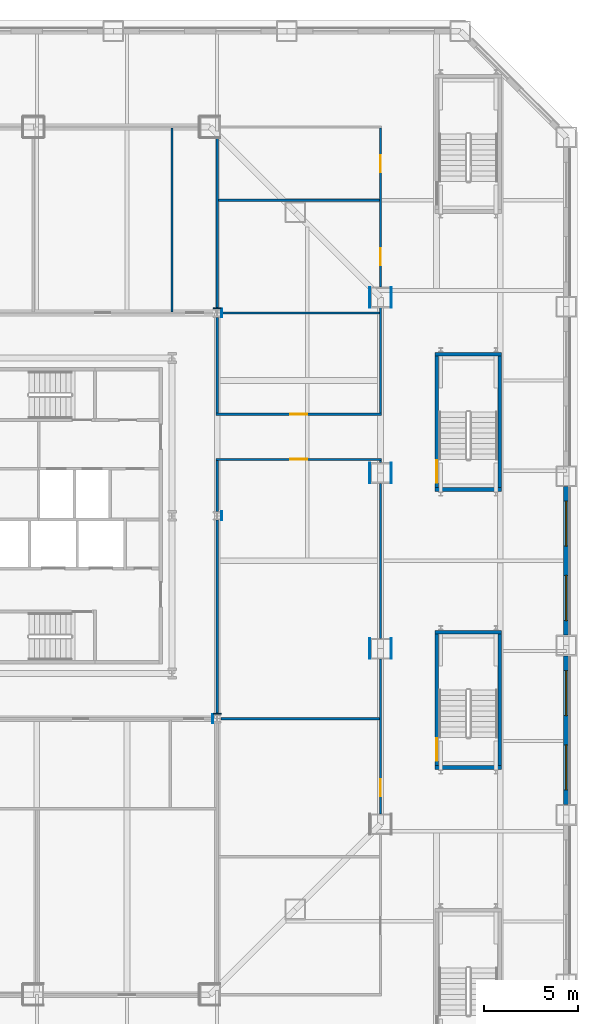
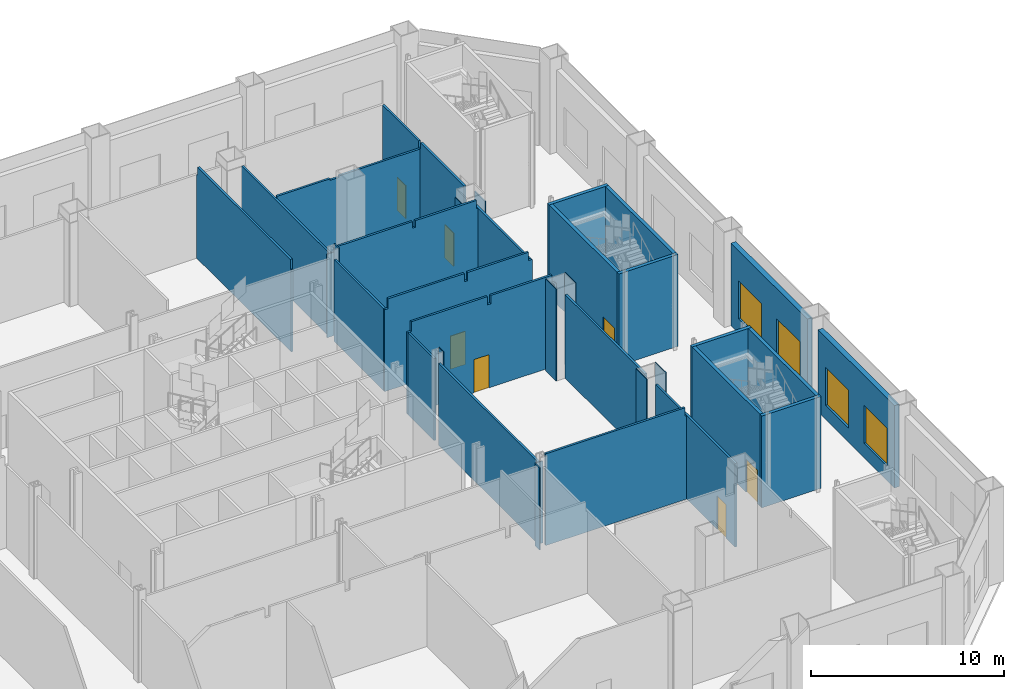
# One storey, part 22 of 31: 36 walls, 7 doors, 4 windows, 11 openings.
"""IFC4 building model written with IfcOpenShell, lengths in metres."""

from ifc_helpers import new_model, si_unit, direction, frame, frame_2d, origin, place, context, subcontext, project, spatial, polyline, rectangle, outline, extrude, material, layer, layer_set, type_object, element, fill, save


model = new_model("IFC4")

# Units and contexts
model_context = context("Model", 3, precision=1e-05, world=origin(), true_north=direction((0.0, 1.0)))
body_context = subcontext(model_context, "Body", "Model", "MODEL_VIEW")
ifc_project = project(units=[si_unit("LENGTHUNIT", "METRE"), si_unit("AREAUNIT", "SQUARE_METRE"), si_unit("VOLUMEUNIT", "CUBIC_METRE"), si_unit("PLANEANGLEUNIT", "RADIAN"), si_unit("MASSUNIT", "GRAM", prefix="KILO")], contexts=[model_context])

# Site, building, storey
site_placement = place(None, origin())
site = spatial("IfcSite", under=ifc_project, at=site_placement, CompositionType="ELEMENT")
building_placement = place(site_placement, origin())
building = spatial("IfcBuilding", under=site, at=building_placement, Name="Cairn Pilgrim Tower", CompositionType="ELEMENT")
storey_placement = place(building_placement, frame((0.0, 0.0, 9.0)))
storey = spatial("IfcBuildingStorey", under=building, at=storey_placement, Name="L01", CompositionType="ELEMENT", Elevation=9.0)

# Wall, opening, door
ifc_material_1 = material(Name="Gypsum partition")
ifc_layer_1 = layer(ifc_material_1, 0.125)
ifc_layer_set_1 = layer_set([ifc_layer_1], Name="PARTITION 125 DRYWALL EI 60")
wall_type_1 = type_object("IfcWallType", Name="PARTITION 125 DRYWALL EI 60", PredefinedType="PARTITIONING", material=ifc_layer_set_1)
wall_1_placement = place(storey_placement, frame((27.89990234375, -13.477294921875, 0.0), z_axis=(0.0, 0.0, 1.0), x_axis=(0.0, 1.0, 0.0)))
wall_1 = element("IfcWall", 1, at=wall_1_placement, inside=storey, type_object=wall_type_1, Name="PARTITION W027", PredefinedType="PARTITIONING", context=body_context, shape_type="SweptSolid", body=[
    extrude(rectangle(XDim=8.251708984375, YDim=0.125, at=frame_2d((4.1259765625, 0.0))), origin(), (0.0, 0.0, 1.0), 5.280029296875),
])
opening_1_placement = place(wall_1_placement, frame((0.9521484375, 0.0, 0.0)))
opening_1 = element("IfcOpeningElement", 2, at=opening_1_placement, cuts=wall_1, Name="Opening 0123", PredefinedType="OPENING", context=body_context, shape_type="SweptSolid", body=[
    extrude(rectangle(XDim=0.89990234375, YDim=2.10009765625, at=frame_2d((0.449951171875, 1.050048828125))), frame((0.0, 0.072509765625, 0.0), z_axis=(0.0, -1.0, 0.0), x_axis=(1.0, 0.0, 0.0)), (0.0, 0.0, 1.0), 0.14501953125),
])
ifc_material_2 = material(Name="Timber door leaf", Category="wood")
door_type_1 = type_object("IfcDoorType", Name="SERVICE DOOR 900x2100 FD30S", OperationType="NOTDEFINED", PredefinedType="DOOR", material=ifc_material_2)
door_1_placement = place(opening_1_placement, frame((0.89990234375, 0.0, 0.0), z_axis=(0.0, 0.0, 1.0), x_axis=(-1.0, 0.0, 0.0)))
door_1 = element("IfcDoor", 3, at=door_1_placement, inside=storey, type_object=door_type_1, Name="DOOR 0123", OperationType="SINGLE_SWING_RIGHT", OverallHeight=2.10009765625, OverallWidth=0.89990234375, PredefinedType="DOOR", context=body_context, shape_type="SweptSolid", body=[
    extrude(rectangle(XDim=0.89990234375, YDim=2.10009765625, at=frame_2d((0.449951171875, 1.050048828125))), frame((0.0, 0.02490234375, 0.0), z_axis=(0.0, -1.0, 0.0), x_axis=(1.0, 0.0, 0.0)), (0.0, 0.0, 1.0), 0.050048828125),
])
fill(opening_1, door_1)

# Walls
wall_2_placement = place(storey_placement, frame((19.412109375, -8.39990234375, 0.0), z_axis=(0.0, 0.0, 1.0), x_axis=(1.0, 0.0, 0.0)))
element("IfcWall", 4, at=wall_2_placement, inside=storey, type_object=wall_type_1, Name="PARTITION W036", PredefinedType="PARTITIONING", context=body_context, shape_type="SweptSolid", body=[
    extrude(outline(polyline([(0.0, 0.0), (8.42529296875, 0.0), (8.425537109375, 5.280029296875), (8.337890625, 5.280029296875), (8.3359375, 5.800048828125), (0.0, 5.800048828125), (0.0, 0.0)])), frame((0.0, 0.0625, 0.0), z_axis=(0.0, -1.0, 0.0), x_axis=(1.0, 0.0, 0.0)), (0.0, 0.0, 1.0), 0.125),
])
wall_3_placement = place(storey_placement, frame((19.199951171875, -8.1630859375, 0.0), z_axis=(0.0, 0.0, 1.0), x_axis=(0.0, 1.0, 0.0)))
element("IfcWall", 5, at=wall_3_placement, inside=storey, type_object=wall_type_1, Name="PARTITION W038", PredefinedType="PARTITIONING", context=body_context, shape_type="SweptSolid", body=[
    extrude(rectangle(XDim=10.326171875, YDim=0.125, at=frame_2d((5.1630859375, 0.0))), origin(), (0.0, 0.0, 1.0), 5.179931640625),
])
wall_4_placement = place(storey_placement, frame((27.89990234375, -4.125732421875, 0.0), z_axis=(0.0, 0.0, 1.0), x_axis=(0.0, 1.0, 0.0)))
element("IfcWall", 6, at=wall_4_placement, inside=storey, type_object=wall_type_1, Name="PARTITION W039", PredefinedType="PARTITIONING", context=body_context, shape_type="SweptSolid", body=[
    extrude(rectangle(XDim=8.25146484375, YDim=0.125, at=frame_2d((4.125732421875, 0.0))), origin(), (0.0, 0.0, 1.0), 5.280029296875),
])
wall_5_placement = place(storey_placement, frame((19.199951171875, 2.636962890625, 0.0), z_axis=(0.0, 0.0, 1.0), x_axis=(0.0, 1.0, 0.0)))
element("IfcWall", 7, at=wall_5_placement, inside=storey, type_object=wall_type_1, Name="PARTITION W042", PredefinedType="PARTITIONING", context=body_context, shape_type="SweptSolid", body=[
    extrude(rectangle(XDim=2.700439453125, YDim=0.125, at=frame_2d((1.35009765625, 0.0))), origin(), (0.0, 0.0, 1.0), 5.179931640625),
])
wall_6_placement = place(storey_placement, frame((27.89990234375, 5.2255859375, 0.0), z_axis=(0.0, 0.0, 1.0), x_axis=(0.0, 1.0, 0.0)))
element("IfcWall", 8, at=wall_6_placement, inside=storey, type_object=wall_type_1, Name="PARTITION W046", PredefinedType="PARTITIONING", context=body_context, shape_type="SweptSolid", body=[
    extrude(rectangle(XDim=0.11181640625, YDim=0.125, at=frame_2d((0.055908203125, 0.0))), origin(), (0.0, 0.0, 1.0), 5.280029296875),
])

# Wall, opening, door
wall_7_placement = place(storey_placement, frame((19.137451171875, 5.39990234375, 0.0), z_axis=(0.0, 0.0, 1.0), x_axis=(1.0, 0.0, 0.0)))
wall_7 = element("IfcWall", 9, at=wall_7_placement, inside=storey, type_object=wall_type_1, Name="PARTITION W048", PredefinedType="PARTITIONING", context=body_context, shape_type="SweptSolid", body=[
    extrude(outline(polyline([(0.0, 0.0), (8.824951171875, 0.0), (8.824951171875, 5.280029296875), (8.612548828125, 5.280029296875), (8.610595703125, 5.800048828125), (4.96240234375, 5.800048828125), (4.96044921875, 5.280029296875), (4.762451171875, 5.280029296875), (4.760498046875, 5.800048828125), (0.21240234375, 5.800048828125), (0.21044921875, 5.179931640625), (0.0, 5.179931640625), (0.0, 0.0)])), frame((0.0, 0.0625, 0.0), z_axis=(0.0, -1.0, 0.0), x_axis=(1.0, 0.0, 0.0)), (0.0, 0.0, 1.0), 0.125),
])
opening_2_placement = place(wall_7_placement, frame((3.96240234375, 0.0, 0.0)))
opening_2 = element("IfcOpeningElement", 10, at=opening_2_placement, cuts=wall_7, Name="Opening 0119", PredefinedType="OPENING", context=body_context, shape_type="SweptSolid", body=[
    extrude(rectangle(XDim=0.89990234375, YDim=2.10009765625, at=frame_2d((0.449951171875, 1.050048828125))), frame((0.0, 0.072509765625, 0.0), z_axis=(0.0, -1.0, 0.0), x_axis=(1.0, 0.0, 0.0)), (0.0, 0.0, 1.0), 0.14501953125),
])
door_type_2 = type_object("IfcDoorType", Name="ROOM DOOR 900x2100 FD30S", OperationType="NOTDEFINED", PredefinedType="DOOR", material=ifc_material_2)
door_2_placement = place(opening_2_placement, origin())
door_2 = element("IfcDoor", 11, at=door_2_placement, inside=storey, type_object=door_type_2, Name="DOOR 0119", OperationType="SINGLE_SWING_LEFT", OverallHeight=2.10009765625, OverallWidth=0.89990234375, PredefinedType="DOOR", context=body_context, shape_type="SweptSolid", body=[
    extrude(rectangle(XDim=0.89990234375, YDim=2.10009765625, at=frame_2d((0.449951171875, 1.050048828125))), frame((0.0, 0.02490234375, 0.0), z_axis=(0.0, -1.0, 0.0), x_axis=(1.0, 0.0, 0.0)), (0.0, 0.0, 1.0), 0.050048828125),
])
fill(opening_2, door_2)

wall_8_placement = place(storey_placement, frame((19.137451171875, 7.800048828125, 0.0), z_axis=(0.0, 0.0, 1.0), x_axis=(1.0, 0.0, 0.0)))
wall_8 = element("IfcWall", 12, at=wall_8_placement, inside=storey, type_object=wall_type_1, Name="PARTITION W050", PredefinedType="PARTITIONING", context=body_context, shape_type="SweptSolid", body=[
    extrude(outline(polyline([(0.0, 0.0), (8.824951171875, 0.0), (8.824951171875, 5.280029296875), (8.612548828125, 5.280029296875), (8.610595703125, 5.800048828125), (4.96240234375, 5.800048828125), (4.96044921875, 5.280029296875), (4.762451171875, 5.280029296875), (4.760498046875, 5.800048828125), (0.21240234375, 5.800048828125), (0.21044921875, 5.179931640625), (0.0, 5.179931640625), (0.0, 0.0)])), frame((0.0, 0.0625, 0.0), z_axis=(0.0, -1.0, 0.0), x_axis=(1.0, 0.0, 0.0)), (0.0, 0.0, 1.0), 0.125),
])
opening_3_placement = place(wall_8_placement, frame((3.96240234375, 0.0, 0.0)))
opening_3 = element("IfcOpeningElement", 13, at=opening_3_placement, cuts=wall_8, Name="Opening 0118", PredefinedType="OPENING", context=body_context, shape_type="SweptSolid", body=[
    extrude(rectangle(XDim=0.89990234375, YDim=2.10009765625, at=frame_2d((0.449951171875, 1.050048828125))), frame((0.0, 0.072509765625, 0.0), z_axis=(0.0, -1.0, 0.0), x_axis=(1.0, 0.0, 0.0)), (0.0, 0.0, 1.0), 0.14501953125),
])
door_3_placement = place(opening_3_placement, frame((0.89990234375, 0.0, 0.0), z_axis=(0.0, 0.0, 1.0), x_axis=(-1.0, 0.0, 0.0)))
door_3 = element("IfcDoor", 14, at=door_3_placement, inside=storey, type_object=door_type_2, Name="DOOR 0118", OperationType="SINGLE_SWING_RIGHT", OverallHeight=2.10009765625, OverallWidth=0.89990234375, PredefinedType="DOOR", context=body_context, shape_type="SweptSolid", body=[
    extrude(rectangle(XDim=0.89990234375, YDim=2.10009765625, at=frame_2d((0.449951171875, 1.050048828125))), frame((0.0, 0.02490234375, 0.0), z_axis=(0.0, -1.0, 0.0), x_axis=(1.0, 0.0, 0.0)), (0.0, 0.0, 1.0), 0.050048828125),
])
fill(opening_3, door_3)

# Walls
wall_9_placement = place(storey_placement, frame((19.199951171875, 7.862548828125, 0.0), z_axis=(0.0, 0.0, 1.0), x_axis=(0.0, 1.0, 0.0)))
element("IfcWall", 15, at=wall_9_placement, inside=storey, type_object=wall_type_1, Name="PARTITION W055", PredefinedType="PARTITIONING", context=body_context, shape_type="SweptSolid", body=[
    extrude(rectangle(XDim=5.100341796875, YDim=0.125, at=frame_2d((2.55029296875, 0.0))), origin(), (0.0, 0.0, 1.0), 5.179931640625),
])
wall_10_placement = place(storey_placement, frame((27.89990234375, 7.862548828125, 0.0), z_axis=(0.0, 0.0, 1.0), x_axis=(0.0, 1.0, 0.0)))
element("IfcWall", 16, at=wall_10_placement, inside=storey, type_object=wall_type_1, Name="PARTITION W056", PredefinedType="PARTITIONING", context=body_context, shape_type="SweptSolid", body=[
    extrude(rectangle(XDim=5.61474609375, YDim=0.125, at=frame_2d((2.807373046875, 0.0))), origin(), (0.0, 0.0, 1.0), 5.280029296875),
])
wall_11_placement = place(storey_placement, frame((19.412109375, 13.199951171875, 0.0), z_axis=(0.0, 0.0, 1.0), x_axis=(1.0, 0.0, 0.0)))
element("IfcWall", 17, at=wall_11_placement, inside=storey, type_object=wall_type_1, Name="PARTITION W060", PredefinedType="PARTITIONING", context=body_context, shape_type="SweptSolid", body=[
    extrude(outline(polyline([(0.0, 0.0), (8.42529296875, 0.0), (8.425537109375, 5.280029296875), (8.337890625, 5.280029296875), (8.3359375, 5.800048828125), (4.677978515625, 5.800048828125), (4.676025390625, 5.3798828125), (4.498046875, 5.3798828125), (4.49609375, 5.800048828125), (0.0, 5.800048828125), (0.0, 0.0)])), frame((0.0, 0.0625, 0.0), z_axis=(0.0, -1.0, 0.0), x_axis=(1.0, 0.0, 0.0)), (0.0, 0.0, 1.0), 0.125),
])
wall_12_placement = place(storey_placement, frame((16.800048828125, 13.262451171875, 0.0), z_axis=(0.0, 0.0, 1.0), x_axis=(0.0, 1.0, 0.0)))
element("IfcWall", 18, at=wall_12_placement, inside=storey, type_object=wall_type_1, Name="PARTITION W062", PredefinedType="PARTITIONING", context=body_context, shape_type="SweptSolid", body=[
    extrude(outline(polyline([(0.0, 0.0), (9.775146484375, 0.0), (9.77490234375, 5.280029296875), (9.6875, 5.280029296875), (9.685546875, 5.800048828125), (0.08740234375, 5.800048828125), (0.08544921875, 5.179931640625), (0.0, 5.179931640625), (0.0, 0.0)])), frame((0.0, 0.0625, 0.0), z_axis=(0.0, -1.0, 0.0), x_axis=(1.0, 0.0, 0.0)), (0.0, 0.0, 1.0), 0.125),
])
wall_13_placement = place(storey_placement, frame((19.199951171875, 13.43701171875, 0.0), z_axis=(0.0, 0.0, 1.0), x_axis=(0.0, 1.0, 0.0)))
element("IfcWall", 19, at=wall_13_placement, inside=storey, type_object=wall_type_1, Name="PARTITION W064", PredefinedType="PARTITIONING", context=body_context, shape_type="SweptSolid", body=[
    extrude(rectangle(XDim=9.113037109375, YDim=0.125, at=frame_2d((4.556640625, 0.0))), origin(), (0.0, 0.0, 1.0), 5.280029296875),
])

# Wall, openings, doors
wall_14_placement = place(storey_placement, frame((27.89990234375, 14.5771484375, 0.0), z_axis=(0.0, 0.0, 1.0), x_axis=(0.0, 1.0, 0.0)))
wall_14 = element("IfcWall", 20, at=wall_14_placement, inside=storey, type_object=wall_type_1, Name="PARTITION W065", PredefinedType="PARTITIONING", context=body_context, shape_type="SweptSolid", body=[
    extrude(outline(polyline([(0.0, 0.0), (8.46044921875, 0.0), (8.460205078125, 5.800048828125), (4.712890625, 5.800048828125), (4.710693359375, 5.3798828125), (4.53271484375, 5.3798828125), (4.53076171875, 5.800048828125), (0.0, 5.800048828125), (0.0, 0.0)])), frame((0.0, 0.0625, 0.0), z_axis=(0.0, -1.0, 0.0), x_axis=(1.0, 0.0, 0.0)), (0.0, 0.0, 1.0), 0.125),
])
opening_4_placement = place(wall_14_placement, frame((1.1728515625, 0.0, 0.0)))
opening_4 = element("IfcOpeningElement", 21, at=opening_4_placement, cuts=wall_14, Name="Opening 0120", PredefinedType="OPENING", context=body_context, shape_type="SweptSolid", body=[
    extrude(rectangle(XDim=0.89990234375, YDim=2.10009765625, at=frame_2d((0.449951171875, 1.050048828125))), frame((0.0, 0.072509765625, 0.0), z_axis=(0.0, -1.0, 0.0), x_axis=(1.0, 0.0, 0.0)), (0.0, 0.0, 1.0), 0.14501953125),
])
opening_5_placement = place(wall_14_placement, frame((6.122802734375, 0.0, 0.0)))
opening_5 = element("IfcOpeningElement", 22, at=opening_5_placement, cuts=wall_14, Name="Opening 0121", PredefinedType="OPENING", context=body_context, shape_type="SweptSolid", body=[
    extrude(rectangle(XDim=0.89990234375, YDim=2.10009765625, at=frame_2d((0.449951171875, 1.050048828125))), frame((0.0, 0.072509765625, 0.0), z_axis=(0.0, -1.0, 0.0), x_axis=(1.0, 0.0, 0.0)), (0.0, 0.0, 1.0), 0.14501953125),
])
door_4_placement = place(opening_4_placement, frame((0.89990234375, 0.0, 0.0), z_axis=(0.0, 0.0, 1.0), x_axis=(-1.0, 0.0, 0.0)))
door_4 = element("IfcDoor", 23, at=door_4_placement, inside=storey, type_object=door_type_2, Name="DOOR 0120", OperationType="SINGLE_SWING_RIGHT", OverallHeight=2.10009765625, OverallWidth=0.89990234375, PredefinedType="DOOR", context=body_context, shape_type="SweptSolid", body=[
    extrude(rectangle(XDim=0.89990234375, YDim=2.10009765625, at=frame_2d((0.449951171875, 1.050048828125))), frame((0.0, 0.02490234375, 0.0), z_axis=(0.0, -1.0, 0.0), x_axis=(1.0, 0.0, 0.0)), (0.0, 0.0, 1.0), 0.050048828125),
])
fill(opening_4, door_4)
door_5_placement = place(opening_5_placement, frame((0.89990234375, 0.0, 0.0), z_axis=(0.0, 0.0, 1.0), x_axis=(-1.0, 0.0, 0.0)))
door_5 = element("IfcDoor", 24, at=door_5_placement, inside=storey, type_object=door_type_2, Name="DOOR 0121", OperationType="SINGLE_SWING_LEFT", OverallHeight=2.10009765625, OverallWidth=0.89990234375, PredefinedType="DOOR", context=body_context, shape_type="SweptSolid", body=[
    extrude(rectangle(XDim=0.89990234375, YDim=2.10009765625, at=frame_2d((0.449951171875, 1.050048828125))), frame((0.0, 0.02490234375, 0.0), z_axis=(0.0, -1.0, 0.0), x_axis=(1.0, 0.0, 0.0)), (0.0, 0.0, 1.0), 0.050048828125),
])
fill(opening_5, door_5)

# Walls
wall_15_placement = place(storey_placement, frame((19.262451171875, 19.199951171875, 0.0), z_axis=(0.0, 0.0, 1.0), x_axis=(1.0, 0.0, 0.0)))
element("IfcWall", 25, at=wall_15_placement, inside=storey, type_object=wall_type_1, Name="PARTITION W069", PredefinedType="PARTITIONING", context=body_context, shape_type="SweptSolid", body=[
    extrude(outline(polyline([(0.0, 0.0), (8.574951171875, 0.0), (8.574951171875, 5.3798828125), (3.7392578125, 5.3798828125), (3.7373046875, 5.280029296875), (3.190185546875, 5.280029296875), (3.18798828125, 5.3798828125), (0.03759765625, 5.3798828125), (0.035400390625, 5.280029296875), (0.0, 5.280029296875), (0.0, 0.0)])), frame((0.0, 0.0625, 0.0), z_axis=(0.0, -1.0, 0.0), x_axis=(1.0, 0.0, 0.0)), (0.0, 0.0, 1.0), 0.125),
])
ifc_layer_2 = layer(ifc_material_1, 0.050048828125)
ifc_layer_set_2 = layer_set([ifc_layer_2], Name="PARTITION 50 DRYWALL EI 60")
wall_type_2 = type_object("IfcWallType", Name="PARTITION 50 DRYWALL EI 60", PredefinedType="PARTITIONING", material=ifc_layer_set_2)
wall_16_placement = place(storey_placement, frame((18.962890625, -8.636962890625, 0.0), z_axis=(0.0, 0.0, 1.0), x_axis=(0.0, 1.0, 0.0)))
element("IfcWall", 26, at=wall_16_placement, inside=storey, type_object=wall_type_2, Name="COLUMN CASING WC15", PredefinedType="PARTITIONING", context=body_context, shape_type="SweptSolid", body=[
    extrude(rectangle(XDim=0.473876953125, YDim=0.050048828125, at=frame_2d((0.23681640625, 0.0))), origin(), (0.0, 0.0, 1.0), 5.179931640625),
])
for number, where, z_axis, x_axis, name in (
    (27, (27.324951171875, -5.2255859375, 0.0), (0.0, 0.0, 1.0), (0.0, 1.0, 0.0), "COLUMN CASING WC18"),
    (28, (28.47509765625, -5.2255859375, 0.0), (0.0, 0.0, 1.0), (0.0, 1.0, 0.0), "COLUMN CASING WC19"),
    (29, (27.324951171875, 4.125732421875, 0.0), (0.0, 0.0, 1.0), (0.0, 1.0, 0.0), "COLUMN CASING WC20"),
    (30, (28.47509765625, 4.125732421875, 0.0), (0.0, 0.0, 1.0), (0.0, 1.0, 0.0), "COLUMN CASING WC21"),
):
    element("IfcWall", number, at=place(storey_placement, frame(where, z_axis=z_axis, x_axis=x_axis)), inside=storey, type_object=wall_type_2, Name=name, PredefinedType="PARTITIONING", context=body_context, shape_type="SweptSolid", body=[
        extrude(rectangle(XDim=1.099853515625, YDim=0.050048828125, at=frame_2d((0.5498046875, 0.0))), origin(), (0.0, 0.0, 1.0), 5.800048828125),
    ])
wall_17_placement = place(storey_placement, frame((18.988037109375, -8.137939453125, 0.0), z_axis=(0.0, 0.0, 1.0), x_axis=(1.0, 0.0, 0.0)))
element("IfcWall", 31, at=wall_17_placement, inside=storey, type_object=wall_type_2, Name="COLUMN CASING WC26", PredefinedType="PARTITIONING", context=body_context, shape_type="SweptSolid", body=[
    extrude(rectangle(XDim=0.424072265625, YDim=0.050048828125, at=frame_2d((0.2119140625, 0.0))), origin(), (0.0, 0.0, 1.0), 5.179931640625),
])
wall_18_placement = place(storey_placement, frame((19.43701171875, 2.1630859375, 0.0), z_axis=(0.0, 0.0, 1.0), x_axis=(0.0, 1.0, 0.0)))
element("IfcWall", 32, at=wall_18_placement, inside=storey, type_object=wall_type_2, Name="COLUMN CASING WC27", PredefinedType="PARTITIONING", context=body_context, shape_type="SweptSolid", body=[
    extrude(rectangle(XDim=0.473876953125, YDim=0.050048828125, at=frame_2d((0.23681640625, 0.0))), origin(), (0.0, 0.0, 1.0), 5.800048828125),
])
wall_19_placement = place(storey_placement, frame((19.43701171875, 12.962890625, 0.0), z_axis=(0.0, 0.0, 1.0), x_axis=(0.0, 1.0, 0.0)))
element("IfcWall", 33, at=wall_19_placement, inside=storey, type_object=wall_type_2, Name="COLUMN CASING WC29", PredefinedType="PARTITIONING", context=body_context, shape_type="SweptSolid", body=[
    extrude(rectangle(XDim=0.47412109375, YDim=0.050048828125, at=frame_2d((0.237060546875, 0.0))), origin(), (0.0, 0.0, 1.0), 5.800048828125),
])
for number, where, z_axis, x_axis, name in (
    (34, (27.324951171875, 13.477294921875, 0.0), (0.0, 0.0, 1.0), (0.0, 1.0, 0.0), "COLUMN CASING WC30"),
    (35, (28.47509765625, 13.477294921875, 0.0), (0.0, 0.0, 1.0), (0.0, 1.0, 0.0), "COLUMN CASING WC31"),
):
    element("IfcWall", number, at=place(storey_placement, frame(where, z_axis=z_axis, x_axis=x_axis)), inside=storey, type_object=wall_type_2, Name=name, PredefinedType="PARTITIONING", context=body_context, shape_type="SweptSolid", body=[
        extrude(rectangle(XDim=1.099853515625, YDim=0.050048828125, at=frame_2d((0.5498046875, 0.0))), origin(), (0.0, 0.0, 1.0), 5.280029296875),
    ])
wall_20_placement = place(storey_placement, frame((18.988037109375, 13.4619140625, 0.0), z_axis=(0.0, 0.0, 1.0), x_axis=(1.0, 0.0, 0.0)))
element("IfcWall", 36, at=wall_20_placement, inside=storey, type_object=wall_type_2, Name="COLUMN CASING WC34", PredefinedType="PARTITIONING", context=body_context, shape_type="SweptSolid", body=[
    extrude(rectangle(XDim=0.424072265625, YDim=0.050048828125, at=frame_2d((0.2119140625, 0.0))), origin(), (0.0, 0.0, 1.0), 5.280029296875),
])
ifc_material_3 = material(Name="Concrete C35/45", Category="concrete")
ifc_layer_3 = layer(ifc_material_3, 0.199951171875)
ifc_layer_set_3 = layer_set([ifc_layer_3], Name="PODIUM STAIR WALL 200 EI 120")
wall_type_3 = type_object("IfcWallType", Name="PODIUM STAIR WALL 200 EI 120", PredefinedType="SOLIDWALL", material=ifc_layer_set_3)
wall_21_placement = place(storey_placement, frame((30.800048828125, -11.0, 0.0), z_axis=(0.0, 0.0, 1.0), x_axis=(1.0, 0.0, 0.0)))
element("IfcWall", 37, at=wall_21_placement, inside=storey, type_object=wall_type_3, Name="STAIR SHAFT WALL W031", PredefinedType="SOLIDWALL", context=body_context, shape_type="SweptSolid", body=[
    extrude(rectangle(XDim=3.550048828125, YDim=0.199951171875, at=frame_2d((1.77490234375, 0.0))), origin(), (0.0, 0.0, 1.0), 5.800048828125),
])

# Wall, opening, door
wall_22_placement = place(storey_placement, frame((30.89990234375, -10.89990234375, 0.0), z_axis=(0.0, 0.0, 1.0), x_axis=(0.0, 1.0, 0.0)))
wall_22 = element("IfcWall", 38, at=wall_22_placement, inside=storey, type_object=wall_type_3, Name="STAIR SHAFT WALL W032", PredefinedType="SOLIDWALL", context=body_context, shape_type="SweptSolid", body=[
    extrude(rectangle(XDim=7.0, YDim=0.199951171875, at=frame_2d((3.5, 0.0))), origin(), (0.0, 0.0, 1.0), 5.800048828125),
])
opening_6_placement = place(wall_22_placement, frame((0.25, 0.0, 0.0)))
opening_6 = element("IfcOpeningElement", 39, at=opening_6_placement, cuts=wall_22, Name="Opening 0129", PredefinedType="OPENING", context=body_context, shape_type="SweptSolid", body=[
    extrude(rectangle(XDim=1.199951171875, YDim=2.10009765625, at=frame_2d((0.60009765625, 1.050048828125))), frame((0.0, 0.10986328125, 0.0), z_axis=(0.0, -1.0, 0.0), x_axis=(1.0, 0.0, 0.0)), (0.0, 0.0, 1.0), 0.219970703125),
])
ifc_material_4 = material(Name="Steel-faced fire door leaf", Category="steel")
door_type_3 = type_object("IfcDoorType", Name="FIRE DOOR 1200x2100 FD60S", OperationType="NOTDEFINED", PredefinedType="DOOR", material=ifc_material_4)
door_6_placement = place(opening_6_placement, frame((1.199951171875, 0.0, 0.0), z_axis=(0.0, 0.0, 1.0), x_axis=(-1.0, 0.0, 0.0)))
door_6 = element("IfcDoor", 40, at=door_6_placement, inside=storey, type_object=door_type_3, Name="DOOR 0129", OperationType="SINGLE_SWING_RIGHT", OverallHeight=2.10009765625, OverallWidth=1.199951171875, PredefinedType="DOOR", context=body_context, shape_type="SweptSolid", body=[
    extrude(rectangle(XDim=1.199951171875, YDim=2.10009765625, at=frame_2d((0.60009765625, 1.050048828125))), frame((0.0, 0.02490234375, 0.0), z_axis=(0.0, -1.0, 0.0), x_axis=(1.0, 0.0, 0.0)), (0.0, 0.0, 1.0), 0.050048828125),
])
fill(opening_6, door_6)

# Walls
wall_23_placement = place(storey_placement, frame((34.25, -10.89990234375, 0.0), z_axis=(0.0, 0.0, 1.0), x_axis=(0.0, 1.0, 0.0)))
element("IfcWall", 41, at=wall_23_placement, inside=storey, type_object=wall_type_3, Name="STAIR SHAFT WALL W033", PredefinedType="SOLIDWALL", context=body_context, shape_type="SweptSolid", body=[
    extrude(rectangle(XDim=7.0, YDim=0.199951171875, at=frame_2d((3.5, 0.0))), origin(), (0.0, 0.0, 1.0), 5.800048828125),
])
for number, where, z_axis, x_axis, name in (
    (42, (30.800048828125, -3.800048828125, 0.0), (0.0, 0.0, 1.0), (1.0, 0.0, 0.0), "STAIR SHAFT WALL W040"),
    (43, (30.800048828125, 3.800048828125, 0.0), (0.0, 0.0, 1.0), (1.0, 0.0, 0.0), "STAIR SHAFT WALL W043"),
):
    element("IfcWall", number, at=place(storey_placement, frame(where, z_axis=z_axis, x_axis=x_axis)), inside=storey, type_object=wall_type_3, Name=name, PredefinedType="SOLIDWALL", context=body_context, shape_type="SweptSolid", body=[
        extrude(rectangle(XDim=3.550048828125, YDim=0.199951171875, at=frame_2d((1.77490234375, 0.0))), origin(), (0.0, 0.0, 1.0), 5.800048828125),
    ])

# Wall, opening, door
wall_24_placement = place(storey_placement, frame((30.89990234375, 3.89990234375, 0.0), z_axis=(0.0, 0.0, 1.0), x_axis=(0.0, 1.0, 0.0)))
wall_24 = element("IfcWall", 44, at=wall_24_placement, inside=storey, type_object=wall_type_3, Name="STAIR SHAFT WALL W044", PredefinedType="SOLIDWALL", context=body_context, shape_type="SweptSolid", body=[
    extrude(rectangle(XDim=7.0, YDim=0.199951171875, at=frame_2d((3.5, 0.0))), origin(), (0.0, 0.0, 1.0), 5.800048828125),
])
opening_7_placement = place(wall_24_placement, frame((0.25, 0.0, 0.0)))
opening_7 = element("IfcOpeningElement", 45, at=opening_7_placement, cuts=wall_24, Name="Opening 0130", PredefinedType="OPENING", context=body_context, shape_type="SweptSolid", body=[
    extrude(rectangle(XDim=1.199951171875, YDim=2.10009765625, at=frame_2d((0.60009765625, 1.050048828125))), frame((0.0, 0.10986328125, 0.0), z_axis=(0.0, -1.0, 0.0), x_axis=(1.0, 0.0, 0.0)), (0.0, 0.0, 1.0), 0.219970703125),
])
door_7_placement = place(opening_7_placement, frame((1.199951171875, 0.0, 0.0), z_axis=(0.0, 0.0, 1.0), x_axis=(-1.0, 0.0, 0.0)))
door_7 = element("IfcDoor", 46, at=door_7_placement, inside=storey, type_object=door_type_3, Name="DOOR 0130", OperationType="SINGLE_SWING_LEFT", OverallHeight=2.10009765625, OverallWidth=1.199951171875, PredefinedType="DOOR", context=body_context, shape_type="SweptSolid", body=[
    extrude(rectangle(XDim=1.199951171875, YDim=2.10009765625, at=frame_2d((0.60009765625, 1.050048828125))), frame((0.0, 0.02490234375, 0.0), z_axis=(0.0, -1.0, 0.0), x_axis=(1.0, 0.0, 0.0)), (0.0, 0.0, 1.0), 0.050048828125),
])
fill(opening_7, door_7)

# Walls
wall_25_placement = place(storey_placement, frame((34.25, 3.89990234375, 0.0), z_axis=(0.0, 0.0, 1.0), x_axis=(0.0, 1.0, 0.0)))
element("IfcWall", 47, at=wall_25_placement, inside=storey, type_object=wall_type_3, Name="STAIR SHAFT WALL W045", PredefinedType="SOLIDWALL", context=body_context, shape_type="SweptSolid", body=[
    extrude(rectangle(XDim=7.0, YDim=0.199951171875, at=frame_2d((3.5, 0.0))), origin(), (0.0, 0.0, 1.0), 5.800048828125),
])
wall_26_placement = place(storey_placement, frame((30.800048828125, 11.0, 0.0), z_axis=(0.0, 0.0, 1.0), x_axis=(1.0, 0.0, 0.0)))
element("IfcWall", 48, at=wall_26_placement, inside=storey, type_object=wall_type_3, Name="STAIR SHAFT WALL W057", PredefinedType="SOLIDWALL", context=body_context, shape_type="SweptSolid", body=[
    extrude(rectangle(XDim=3.550048828125, YDim=0.199951171875, at=frame_2d((1.77490234375, 0.0))), origin(), (0.0, 0.0, 1.0), 5.800048828125),
])

# Wall, openings, windows
ifc_material_5 = material(Name="Concrete C35/45 backup wall with bronze aluminium cladding", Category="concrete")
ifc_layer_4 = layer(ifc_material_5, 0.300048828125)
ifc_layer_set_4 = layer_set([ifc_layer_4], Name="PODIUM WALL 300 BRONZE-CLAD")
wall_type_4 = type_object("IfcWallType", Name="PODIUM WALL 300 BRONZE-CLAD", PredefinedType="SOLIDWALL", material=ifc_layer_set_4)
wall_27_placement = place(storey_placement, frame((37.800048828125, -12.98095703125, 0.0), z_axis=(0.0, 0.0, 1.0), x_axis=(0.0, 1.0, 0.0)))
wall_27 = element("IfcWall", 49, at=wall_27_placement, inside=storey, type_object=wall_type_4, Name="PODIUM EXTERNAL WALL E2-E3", PredefinedType="SOLIDWALL", context=body_context, shape_type="SweptSolid", body=[
    extrude(rectangle(XDim=7.920654296875, YDim=0.300048828125, at=frame_2d((3.96044921875, 0.0))), origin(), (0.0, 0.0, 1.0), 5.199951171875),
])
opening_8_placement = place(wall_27_placement, frame((0.780029296875, 0.0, 0.89990234375)))
opening_8 = element("IfcOpeningElement", 50, at=opening_8_placement, cuts=wall_27, Name="Opening PW24", PredefinedType="OPENING", context=body_context, shape_type="SweptSolid", body=[
    extrude(rectangle(XDim=2.39990234375, YDim=2.39990234375, at=frame_2d((1.199951171875, 1.199951171875))), frame((0.0, 0.16015625, 0.0), z_axis=(0.0, -1.0, 0.0), x_axis=(1.0, 0.0, 0.0)), (0.0, 0.0, 1.0), 0.320068359375),
])
opening_9_placement = place(wall_27_placement, frame((4.740478515625, 0.0, 0.89990234375)))
opening_9 = element("IfcOpeningElement", 51, at=opening_9_placement, cuts=wall_27, Name="Opening PW24", PredefinedType="OPENING", context=body_context, shape_type="SweptSolid", body=[
    extrude(rectangle(XDim=2.39990234375, YDim=2.39990234375, at=frame_2d((1.199951171875, 1.199951171875))), frame((0.0, 0.16015625, 0.0), z_axis=(0.0, -1.0, 0.0), x_axis=(1.0, 0.0, 0.0)), (0.0, 0.0, 1.0), 0.320068359375),
])
ifc_material_6 = material(Name="Bronze anodised aluminium frame with tinted low-E glass", Category="aluminium")
window_type = type_object("IfcWindowType", Name="PODIUM FIXED WINDOW 2400x2400", PartitioningType="SINGLE_PANEL", PredefinedType="WINDOW", material=ifc_material_6)
window_1_placement = place(opening_8_placement, origin())
window_1 = element("IfcWindow", 52, at=window_1_placement, inside=storey, type_object=window_type, Name="PODIUM WINDOW", OverallHeight=2.39990234375, OverallWidth=2.39990234375, PartitioningType="SINGLE_PANEL", PredefinedType="WINDOW", context=body_context, shape_type="SweptSolid", body=[
    extrude(rectangle(XDim=2.39990234375, YDim=2.39990234375, at=frame_2d((1.199951171875, 1.199951171875))), frame((0.0, 0.030029296875, 0.0), z_axis=(0.0, -1.0, 0.0), x_axis=(1.0, 0.0, 0.0)), (0.0, 0.0, 1.0), 0.06005859375),
])
fill(opening_8, window_1)
window_2_placement = place(opening_9_placement, origin())
window_2 = element("IfcWindow", 53, at=window_2_placement, inside=storey, type_object=window_type, Name="PODIUM WINDOW", OverallHeight=2.39990234375, OverallWidth=2.39990234375, PartitioningType="SINGLE_PANEL", PredefinedType="WINDOW", context=body_context, shape_type="SweptSolid", body=[
    extrude(rectangle(XDim=2.39990234375, YDim=2.39990234375, at=frame_2d((1.199951171875, 1.199951171875))), frame((0.0, 0.030029296875, 0.0), z_axis=(0.0, -1.0, 0.0), x_axis=(1.0, 0.0, 0.0)), (0.0, 0.0, 1.0), 0.06005859375),
])
fill(opening_9, window_2)

wall_28_placement = place(storey_placement, frame((37.800048828125, -3.960205078125, 0.0), z_axis=(0.0, 0.0, 1.0), x_axis=(0.0, 1.0, 0.0)))
wall_28 = element("IfcWall", 54, at=wall_28_placement, inside=storey, type_object=wall_type_4, Name="PODIUM EXTERNAL WALL E3-E4", PredefinedType="SOLIDWALL", context=body_context, shape_type="SweptSolid", body=[
    extrude(rectangle(XDim=7.92041015625, YDim=0.300048828125, at=frame_2d((3.960205078125, 0.0))), origin(), (0.0, 0.0, 1.0), 5.199951171875),
])
opening_10_placement = place(wall_28_placement, frame((0.780029296875, 0.0, 0.89990234375)))
opening_10 = element("IfcOpeningElement", 55, at=opening_10_placement, cuts=wall_28, Name="Opening PW24", PredefinedType="OPENING", context=body_context, shape_type="SweptSolid", body=[
    extrude(rectangle(XDim=2.39990234375, YDim=2.39990234375, at=frame_2d((1.199951171875, 1.199951171875))), frame((0.0, 0.16015625, 0.0), z_axis=(0.0, -1.0, 0.0), x_axis=(1.0, 0.0, 0.0)), (0.0, 0.0, 1.0), 0.320068359375),
])
opening_11_placement = place(wall_28_placement, frame((4.740478515625, 0.0, 0.89990234375)))
opening_11 = element("IfcOpeningElement", 56, at=opening_11_placement, cuts=wall_28, Name="Opening PW24", PredefinedType="OPENING", context=body_context, shape_type="SweptSolid", body=[
    extrude(rectangle(XDim=2.39990234375, YDim=2.39990234375, at=frame_2d((1.199951171875, 1.199951171875))), frame((0.0, 0.16015625, 0.0), z_axis=(0.0, -1.0, 0.0), x_axis=(1.0, 0.0, 0.0)), (0.0, 0.0, 1.0), 0.320068359375),
])
window_3_placement = place(opening_10_placement, origin())
window_3 = element("IfcWindow", 57, at=window_3_placement, inside=storey, type_object=window_type, Name="PODIUM WINDOW", OverallHeight=2.39990234375, OverallWidth=2.39990234375, PartitioningType="SINGLE_PANEL", PredefinedType="WINDOW", context=body_context, shape_type="SweptSolid", body=[
    extrude(rectangle(XDim=2.39990234375, YDim=2.39990234375, at=frame_2d((1.199951171875, 1.199951171875))), frame((0.0, 0.030029296875, 0.0), z_axis=(0.0, -1.0, 0.0), x_axis=(1.0, 0.0, 0.0)), (0.0, 0.0, 1.0), 0.06005859375),
])
fill(opening_10, window_3)
window_4_placement = place(opening_11_placement, origin())
window_4 = element("IfcWindow", 58, at=window_4_placement, inside=storey, type_object=window_type, Name="PODIUM WINDOW", OverallHeight=2.39990234375, OverallWidth=2.39990234375, PartitioningType="SINGLE_PANEL", PredefinedType="WINDOW", context=body_context, shape_type="SweptSolid", body=[
    extrude(rectangle(XDim=2.39990234375, YDim=2.39990234375, at=frame_2d((1.199951171875, 1.199951171875))), frame((0.0, 0.030029296875, 0.0), z_axis=(0.0, -1.0, 0.0), x_axis=(1.0, 0.0, 0.0)), (0.0, 0.0, 1.0), 0.06005859375),
])
fill(opening_11, window_4)

save(model, "model.ifc")
